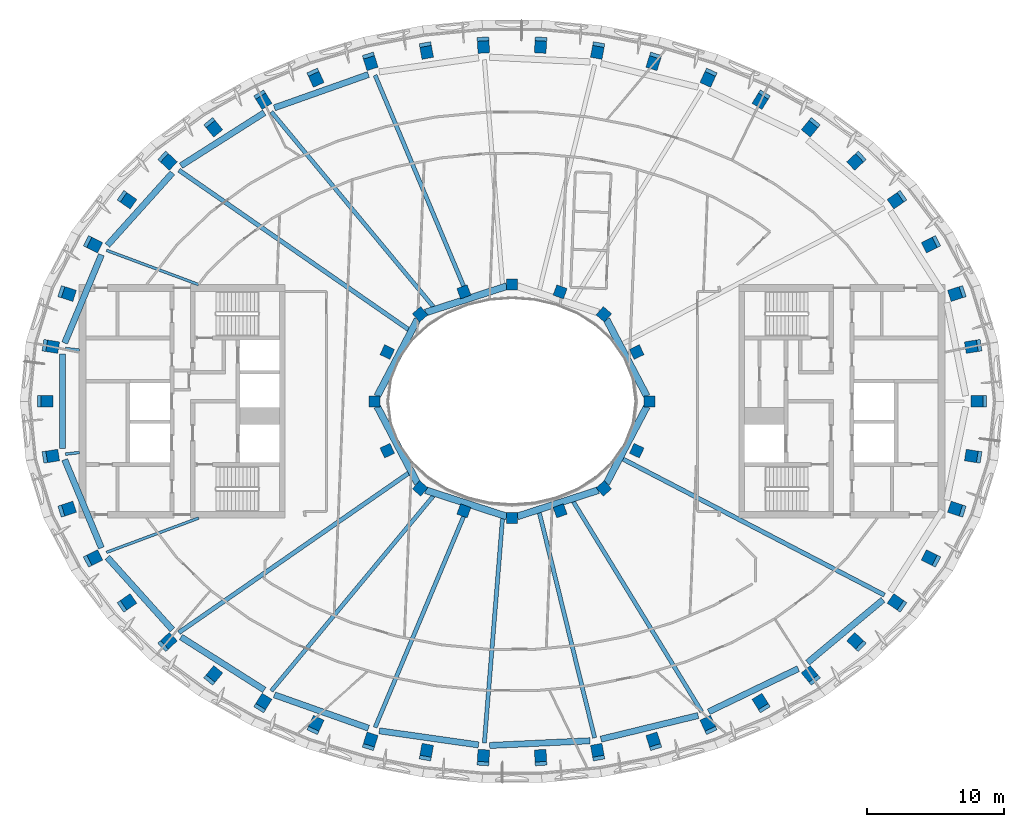
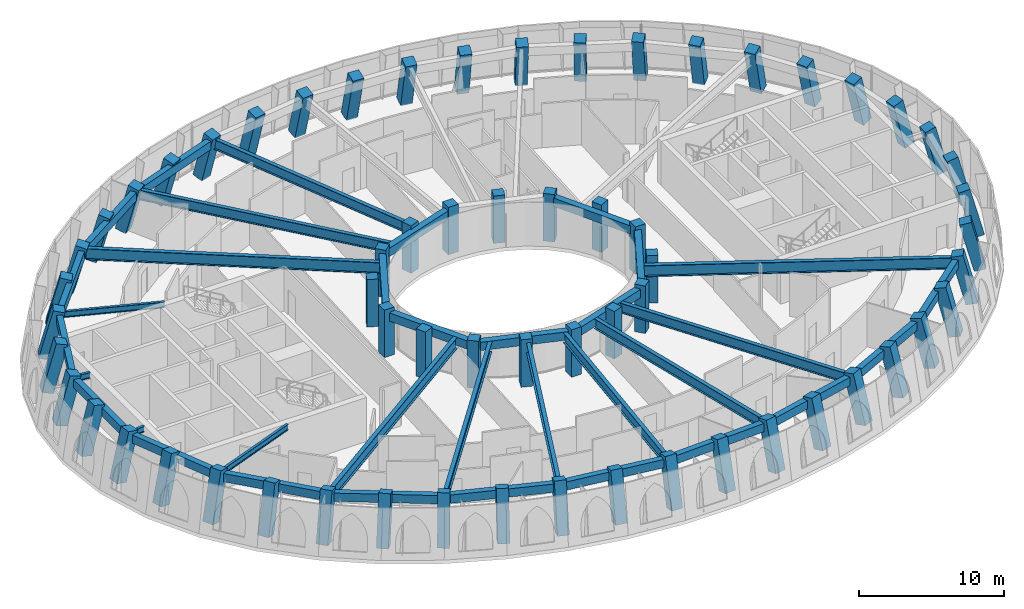
# One storey, part 1 of 14: 62 columns, 35 beams.
"""IFC4 building model written with IfcOpenShell, lengths in metres."""

from ifc_helpers import new_model, si_unit, direction, frame, origin, origin_2d, place, context, subcontext, project, spatial, rectangle, i_section, extrude, material, material_profile, profile_set, type_object, element, save


model = new_model("IFC4")

# Units and contexts
model_context = context("Model", 3, precision=1e-05, world=origin(), true_north=direction((0.0, 1.0)))
body_context = subcontext(model_context, "Body", "Model", "MODEL_VIEW")
ifc_project = project(units=[si_unit("LENGTHUNIT", "METRE"), si_unit("AREAUNIT", "SQUARE_METRE"), si_unit("VOLUMEUNIT", "CUBIC_METRE"), si_unit("PLANEANGLEUNIT", "RADIAN"), si_unit("MASSUNIT", "GRAM", prefix="KILO")], contexts=[model_context])

# Site, building, storey
site_placement = place(None, origin())
site = spatial("IfcSite", under=ifc_project, at=site_placement, CompositionType="ELEMENT")
building_placement = place(site_placement, origin())
building = spatial("IfcBuilding", under=site, at=building_placement, Name="Noorbagh Ring Tower", CompositionType="ELEMENT")
storey_placement = place(building_placement, frame((0.0, 0.0, 335.0)))
storey = spatial("IfcBuildingStorey", under=building, at=storey_placement, Name="L73", CompositionType="ELEMENT", Elevation=335.0)

# Columns
ifc_material_1 = material(Name="Concrete C50/60", Category="concrete")
ifc_material_profile_1 = material_profile(ifc_material_1, rectangle(XDim=0.85009765625, YDim=0.85009765625, at=origin_2d()), Name="RC850x850")
ifc_profile_set_1 = profile_set([ifc_material_profile_1], Name="Concrete C50/60")
column_type_1 = type_object("IfcColumnType", Name="STR-COL-RC850x850-C50-60", PredefinedType="COLUMN", material=ifc_profile_set_1)
for number, where, z_axis, x_axis, name in (
    (1, (34.130859375, 0.0, 0.021240234375), (-0.250356756744, 0.0, 0.968153652244), (0.0, -1.0, 0.0), "L73/col/R1-01"),
    (2, (33.72314453125, 4.022705078125, 0.021240234375), (-0.247193282955, -0.03942667152, 0.968163735344), (0.157506488286, -0.987517952317, 0.0), "L73/col/R1-02"),
    (3, (32.53125, 7.898681640625, 0.021240234375), (-0.238113704065, -0.077180859421, 0.968165780678), (0.308341279213, -0.951275804135, 0.0), "L73/col/R1-03"),
    (4, (30.6376953125, 11.507080078125, 0.021240234375), (-0.223778925547, -0.112068677076, 0.96817539945), (0.447786364795, -0.894140577037, 0.0), "L73/col/R1-04"),
):
    element("IfcColumn", number, at=place(storey_placement, frame(where, z_axis=z_axis, x_axis=x_axis)), inside=storey, type_object=column_type_1, Name=name, PredefinedType="COLUMN", context=body_context, shape_type="SweptSolid", body=[
        extrude(rectangle(XDim=0.85009765625, YDim=0.85009765625, at=origin_2d()), origin(), (0.0, 0.0, 1.0), 4.0869140625),
    ])
for number, where, z_axis, x_axis, name in (
    (5, (28.15185546875, 14.76513671875, 0.021240234375), (-0.20514398083, -0.14325429995, 0.968191175685), (0.57253259654, -0.819881958515, 0.0), "L73/col/R1-05"),
    (6, (25.187255859375, 17.62646484375, 0.021240234375), (-0.183160915009, -0.170436428741, 0.968196004418), (0.68122003212, -0.732078730628, 0.0), "L73/col/R1-06"),
):
    element("IfcColumn", number, at=place(storey_placement, frame(where, z_axis=z_axis, x_axis=x_axis)), inside=storey, type_object=column_type_1, Name=name, PredefinedType="COLUMN", context=body_context, shape_type="SweptSolid", body=[
        extrude(rectangle(XDim=0.85009765625, YDim=0.85009765625, at=origin_2d()), origin(), (0.0, 0.0, 1.0), 4.086669921875),
    ])
for number, where, z_axis, x_axis, name in (
    (7, (21.846435546875, 20.071044921875, 0.021240234375), (-0.158606148179, -0.193553265574, 0.968184498505), (0.773478440466, -0.633822610937, 0.0), "L73/col/R1-07"),
    (8, (18.216796875, 22.0947265625, 0.021240234375), (-0.132081885198, -0.212549682286, 0.968182321757), (0.849363421744, -0.527808466969, 0.0), "L73/col/R1-08"),
    (9, (14.37109375, 23.701171875, 0.021240234375), (-0.10406399959, -0.227602662708, 0.96817752087), (0.909448685807, -0.415816170781, 0.0), "L73/col/R1-09"),
    (10, (10.369140625, 24.8974609375, 0.021240234375), (-0.075030833286, -0.23877248459, 0.968172543847), (0.954007370017, -0.299783151549, 0.0), "L73/col/R1-10"),
    (11, (6.261962890625, 25.690673828125, 0.021240234375), (-0.04528105113, -0.246178379559, 0.968166221186), (0.983501268738, -0.180901228271, 0.0), "L73/col/R1-11"),
    (12, (2.093994140625, 26.0859375, 0.021240234375), (-0.015173203804, -0.249879966589, 0.96815792936), (0.998161503747, -0.060610332764, 0.0), "L73/col/R1-12"),
    (13, (-2.093994140625, 26.0859375, 0.021240234375), (0.015173203804, -0.249879966589, 0.96815792936), (0.998161503747, 0.060610332764, 0.0), "L73/col/R1-13"),
    (14, (-6.261962890625, 25.690673828125, 0.021240234375), (0.04528105113, -0.246178379559, 0.968166221186), (0.983501268738, 0.180901228271, 0.0), "L73/col/R1-14"),
    (15, (-10.369140625, 24.8974609375, 0.021240234375), (0.075030833286, -0.23877248459, 0.968172543847), (0.954007370017, 0.299783151549, 0.0), "L73/col/R1-15"),
    (16, (-14.37109375, 23.701171875, 0.021240234375), (0.10406399959, -0.227602662708, 0.96817752087), (0.909448685807, 0.415816170781, 0.0), "L73/col/R1-16"),
    (17, (-18.216796875, 22.0947265625, 0.021240234375), (0.132081885198, -0.212549682286, 0.968182321757), (0.849363421744, 0.527808466969, 0.0), "L73/col/R1-17"),
    (18, (-21.846435546875, 20.071044921875, 0.021240234375), (0.158606148179, -0.193553265574, 0.968184498505), (0.773478440466, 0.633822610937, 0.0), "L73/col/R1-18"),
):
    element("IfcColumn", number, at=place(storey_placement, frame(where, z_axis=z_axis, x_axis=x_axis)), inside=storey, type_object=column_type_1, Name=name, PredefinedType="COLUMN", context=body_context, shape_type="SweptSolid", body=[
        extrude(rectangle(XDim=0.85009765625, YDim=0.85009765625, at=origin_2d()), origin(), (0.0, 0.0, 1.0), 4.0869140625),
    ])
for number, where, z_axis, x_axis, name in (
    (19, (-25.187255859375, 17.62646484375, 0.021240234375), (0.183160915009, -0.170436428741, 0.968196004418), (0.68122003212, 0.732078730628, 0.0), "L73/col/R1-19"),
    (20, (-28.15185546875, 14.76513671875, 0.021240234375), (0.20514398083, -0.14325429995, 0.968191175685), (0.57253259654, 0.819881958515, 0.0), "L73/col/R1-20"),
):
    element("IfcColumn", number, at=place(storey_placement, frame(where, z_axis=z_axis, x_axis=x_axis)), inside=storey, type_object=column_type_1, Name=name, PredefinedType="COLUMN", context=body_context, shape_type="SweptSolid", body=[
        extrude(rectangle(XDim=0.85009765625, YDim=0.85009765625, at=origin_2d()), origin(), (0.0, 0.0, 1.0), 4.086669921875),
    ])
for number, where, z_axis, x_axis, name in (
    (21, (-30.6376953125, 11.507080078125, 0.021240234375), (0.223778925547, -0.112068677076, 0.96817539945), (0.447786364795, 0.894140577037, 0.0), "L73/col/R1-21"),
    (22, (-32.53125, 7.898681640625, 0.021240234375), (0.238113704065, -0.077180859421, 0.968165780678), (0.308341279213, 0.951275804135, 0.0), "L73/col/R1-22"),
    (23, (-33.72314453125, 4.022705078125, 0.021240234375), (0.247193282955, -0.03942667152, 0.968163735344), (0.157506488286, 0.987517952317, 0.0), "L73/col/R1-23"),
    (24, (-34.130859375, 0.0, 0.021240234375), (0.250356756744, 0.0, 0.968153652244), (0.0, 1.0, 0.0), "L73/col/R1-24"),
    (25, (-33.72314453125, -4.022705078125, 0.021240234375), (0.247193282955, 0.03942667152, 0.968163735344), (-0.157506488286, 0.987517952317, 0.0), "L73/col/R1-25"),
    (26, (-32.53125, -7.898681640625, 0.021240234375), (0.238113704065, 0.077180859421, 0.968165780678), (-0.308341279213, 0.951275804135, 0.0), "L73/col/R1-26"),
    (27, (-30.6376953125, -11.507080078125, 0.021240234375), (0.223778925547, 0.112068677076, 0.96817539945), (-0.447786364795, 0.894140577037, 0.0), "L73/col/R1-27"),
):
    element("IfcColumn", number, at=place(storey_placement, frame(where, z_axis=z_axis, x_axis=x_axis)), inside=storey, type_object=column_type_1, Name=name, PredefinedType="COLUMN", context=body_context, shape_type="SweptSolid", body=[
        extrude(rectangle(XDim=0.85009765625, YDim=0.85009765625, at=origin_2d()), origin(), (0.0, 0.0, 1.0), 4.0869140625),
    ])
for number, where, z_axis, x_axis, name in (
    (28, (-28.15185546875, -14.76513671875, 0.021240234375), (0.20514398083, 0.14325429995, 0.968191175685), (-0.57253259654, 0.819881958515, 0.0), "L73/col/R1-28"),
    (29, (-25.187255859375, -17.62646484375, 0.021240234375), (0.183160915009, 0.170436428741, 0.968196004418), (-0.68122003212, 0.732078730628, 0.0), "L73/col/R1-29"),
):
    element("IfcColumn", number, at=place(storey_placement, frame(where, z_axis=z_axis, x_axis=x_axis)), inside=storey, type_object=column_type_1, Name=name, PredefinedType="COLUMN", context=body_context, shape_type="SweptSolid", body=[
        extrude(rectangle(XDim=0.85009765625, YDim=0.85009765625, at=origin_2d()), origin(), (0.0, 0.0, 1.0), 4.086669921875),
    ])
for number, where, z_axis, x_axis, name in (
    (30, (-21.846435546875, -20.071044921875, 0.021240234375), (0.158606148179, 0.193553265574, 0.968184498505), (-0.773478440466, 0.633822610937, 0.0), "L73/col/R1-30"),
    (31, (-18.216796875, -22.0947265625, 0.021240234375), (0.132081885198, 0.212549682286, 0.968182321757), (-0.849363421744, 0.527808466969, 0.0), "L73/col/R1-31"),
    (32, (-14.37109375, -23.701171875, 0.021240234375), (0.10406399959, 0.227602662708, 0.96817752087), (-0.909448685807, 0.415816170781, 0.0), "L73/col/R1-32"),
    (33, (-10.369140625, -24.8974609375, 0.021240234375), (0.075030833286, 0.23877248459, 0.968172543847), (-0.954007370017, 0.299783151549, 0.0), "L73/col/R1-33"),
    (34, (-6.261962890625, -25.690673828125, 0.021240234375), (0.04528105113, 0.246178379559, 0.968166221186), (-0.983501268738, 0.180901228271, 0.0), "L73/col/R1-34"),
    (35, (-2.093994140625, -26.0859375, 0.021240234375), (0.015173203804, 0.249879966589, 0.96815792936), (-0.998161503747, 0.060610332764, 0.0), "L73/col/R1-35"),
    (36, (2.093994140625, -26.0859375, 0.021240234375), (-0.015173203804, 0.249879966589, 0.96815792936), (-0.998161503747, -0.060610332764, 0.0), "L73/col/R1-36"),
    (37, (6.261962890625, -25.690673828125, 0.021240234375), (-0.04528105113, 0.246178379559, 0.968166221186), (-0.983501268738, -0.180901228271, 0.0), "L73/col/R1-37"),
    (38, (10.369140625, -24.8974609375, 0.021240234375), (-0.075030833286, 0.23877248459, 0.968172543847), (-0.954007370017, -0.299783151549, 0.0), "L73/col/R1-38"),
    (39, (14.37109375, -23.701171875, 0.021240234375), (-0.10406399959, 0.227602662708, 0.96817752087), (-0.909448685807, -0.415816170781, 0.0), "L73/col/R1-39"),
    (40, (18.216796875, -22.0947265625, 0.021240234375), (-0.132081885198, 0.212549682286, 0.968182321757), (-0.849363421744, -0.527808466969, 0.0), "L73/col/R1-40"),
    (41, (21.846435546875, -20.071044921875, 0.021240234375), (-0.158606148179, 0.193553265574, 0.968184498505), (-0.773478440466, -0.633822610937, 0.0), "L73/col/R1-41"),
):
    element("IfcColumn", number, at=place(storey_placement, frame(where, z_axis=z_axis, x_axis=x_axis)), inside=storey, type_object=column_type_1, Name=name, PredefinedType="COLUMN", context=body_context, shape_type="SweptSolid", body=[
        extrude(rectangle(XDim=0.85009765625, YDim=0.85009765625, at=origin_2d()), origin(), (0.0, 0.0, 1.0), 4.0869140625),
    ])
for number, where, z_axis, x_axis, name in (
    (42, (25.187255859375, -17.62646484375, 0.021240234375), (-0.183160915009, 0.170436428741, 0.968196004418), (-0.68122003212, -0.732078730628, 0.0), "L73/col/R1-42"),
    (43, (28.15185546875, -14.76513671875, 0.021240234375), (-0.20514398083, 0.14325429995, 0.968191175685), (-0.57253259654, -0.819881958515, 0.0), "L73/col/R1-43"),
):
    element("IfcColumn", number, at=place(storey_placement, frame(where, z_axis=z_axis, x_axis=x_axis)), inside=storey, type_object=column_type_1, Name=name, PredefinedType="COLUMN", context=body_context, shape_type="SweptSolid", body=[
        extrude(rectangle(XDim=0.85009765625, YDim=0.85009765625, at=origin_2d()), origin(), (0.0, 0.0, 1.0), 4.086669921875),
    ])
for number, where, z_axis, x_axis, name in (
    (44, (30.6376953125, -11.507080078125, 0.021240234375), (-0.223778925547, 0.112068677076, 0.96817539945), (-0.447786364795, -0.894140577037, 0.0), "L73/col/R1-44"),
    (45, (32.53125, -7.898681640625, 0.021240234375), (-0.238113704065, 0.077180859421, 0.968165780678), (-0.308341279213, -0.951275804135, 0.0), "L73/col/R1-45"),
    (46, (33.72314453125, -4.022705078125, 0.021240234375), (-0.247193282955, 0.03942667152, 0.968163735344), (-0.157506488286, -0.987517952317, 0.0), "L73/col/R1-46"),
):
    element("IfcColumn", number, at=place(storey_placement, frame(where, z_axis=z_axis, x_axis=x_axis)), inside=storey, type_object=column_type_1, Name=name, PredefinedType="COLUMN", context=body_context, shape_type="SweptSolid", body=[
        extrude(rectangle(XDim=0.85009765625, YDim=0.85009765625, at=origin_2d()), origin(), (0.0, 0.0, 1.0), 4.0869140625),
    ])
ifc_material_2 = material(Name="Concrete C50/60", Category="concrete")
ifc_material_profile_2 = material_profile(ifc_material_2, rectangle(XDim=0.800048828125, YDim=0.800048828125, at=origin_2d()), Name="RC800x800")
ifc_profile_set_2 = profile_set([ifc_material_profile_2], Name="Concrete C50/60")
column_type_2 = type_object("IfcColumnType", Name="STR-ICOL-RC800x800-C50-60", PredefinedType="COLUMN", material=ifc_profile_set_2)
for number, where, z_axis, x_axis, name in (
    (47, (10.00830078125, 0.0, 0.0), (0.0, 0.0, 1.0), (0.0, 1.0, 0.0), "L73/col/IR2-W01"),
    (48, (9.07568359375, 3.58837890625, 0.0), (0.0, 0.0, 1.0), (-0.428666979171, 0.903462573087, 0.0), "L73/col/IR2-W03"),
    (49, (6.68212890625, 6.333740234375, 0.0), (0.0, 0.0, 1.0), (-0.75102249095, 0.660276622399, 0.0), "L73/col/IR2-W05"),
    (50, (3.5009765625, 7.967041015625, 0.0), (0.0, 0.0, 1.0), (-0.939019578916, 0.343863679984, 0.0), "L73/col/IR2-W07"),
    (51, (0.0, 8.5029296875, 0.0), (0.0, 0.0, 1.0), (-1.0, 0.0, 0.0), "L73/col/IR2-W09"),
    (52, (-3.5009765625, 7.967041015625, 0.0), (0.0, 0.0, 1.0), (-0.939019578916, -0.343863679984, 0.0), "L73/col/IR2-W11"),
    (53, (-6.68212890625, 6.333740234375, 0.0), (0.0, 0.0, 1.0), (-0.75102249095, -0.660276622399, 0.0), "L73/col/IR2-W13"),
    (54, (-9.07568359375, 3.58837890625, 0.0), (0.0, 0.0, 1.0), (-0.428666979171, -0.903462573087, 0.0), "L73/col/IR2-W15"),
    (55, (-10.00830078125, 0.0, 0.0), (0.0, 0.0, 1.0), (0.0, -1.0, 0.0), "L73/col/IR2-W17"),
    (56, (-9.07568359375, -3.58837890625, 0.0), (0.0, 0.0, 1.0), (0.428666979171, -0.903462573087, 0.0), "L73/col/IR2-W19"),
    (57, (-6.68212890625, -6.333740234375, 0.0), (0.0, 0.0, 1.0), (0.75102249095, -0.660276622399, 0.0), "L73/col/IR2-W21"),
    (58, (-3.5009765625, -7.967041015625, 0.0), (0.0, 0.0, 1.0), (0.939019578916, -0.343863679984, 0.0), "L73/col/IR2-W23"),
    (59, (0.0, -8.5029296875, 0.0), (0.0, 0.0, 1.0), (1.0, 0.0, 0.0), "L73/col/IR2-W25"),
    (60, (3.5009765625, -7.967041015625, 0.0), (0.0, 0.0, 1.0), (0.939019578916, 0.343863679984, 0.0), "L73/col/IR2-W27"),
    (61, (6.68212890625, -6.333740234375, 0.0), (0.0, 0.0, 1.0), (0.75102249095, 0.660276622399, 0.0), "L73/col/IR2-W29"),
    (62, (9.07568359375, -3.58837890625, 0.0), (0.0, 0.0, 1.0), (0.428666979171, 0.903462573087, 0.0), "L73/col/IR2-W31"),
):
    element("IfcColumn", number, at=place(storey_placement, frame(where, z_axis=z_axis, x_axis=x_axis)), inside=storey, type_object=column_type_2, Name=name, PredefinedType="COLUMN", context=body_context, shape_type="SweptSolid", body=[
        extrude(rectangle(XDim=0.800048828125, YDim=0.800048828125, at=origin_2d()), origin(), (0.0, 0.0, 1.0), 4.0),
    ])

# Beams
ifc_material_3 = material(Name="Steel S355", Category="steel")
ifc_material_profile_3 = material_profile(ifc_material_3, i_section(OverallWidth=0.199951171875, OverallDepth=0.5, WebThickness=0.01025390625, FlangeThickness=0.01611328125, FilletRadius=0.02099609375, at=origin_2d()), Name="IPE500")
ifc_profile_set_3 = profile_set([ifc_material_profile_3], Name="Steel S355")
beam_type_1 = type_object("IfcBeamType", Name="STR-RAD-IPE500", PredefinedType="BEAM", material=ifc_profile_set_3)
beam_1_placement = place(storey_placement, frame((-29.50830078125, 10.991455078125, 3.449951171875), z_axis=(0.937093710667, -0.349077895933, 0.0), x_axis=(0.349077895933, 0.937093710667, 0.0)))
element("IfcBeam", 63, at=beam_1_placement, inside=storey, type_object=beam_type_1, Name="L73/bm/RD21", PredefinedType="BEAM", context=body_context, shape_type="SweptSolid", body=[
    extrude(i_section(OverallWidth=0.199951171875, OverallDepth=0.5, WebThickness=0.01025390625, FlangeThickness=0.01611328125, FilletRadius=0.02099609375, at=origin_2d()), origin(), (0.0, 0.0, 1.0), 7.157470703125),
])
for number, where, z_axis, x_axis, name in (
    (64, (-32.50146484375, 3.844482421875, 3.449951171875), (0.993070969422, -0.11751616779, 0.0), (0.11751616779, 0.993070969422, 0.0), "L73/bm/RD23"),
    (65, (-32.50146484375, -3.844482421875, 3.449951171875), (0.993070969422, 0.11751616779, 0.0), (-0.11751616779, 0.993070969422, 0.0), "L73/bm/RD25"),
):
    element("IfcBeam", number, at=place(storey_placement, frame(where, z_axis=z_axis, x_axis=x_axis)), inside=storey, type_object=beam_type_1, Name=name, PredefinedType="BEAM", context=body_context, shape_type="SweptSolid", body=[
        extrude(i_section(OverallWidth=0.199951171875, OverallDepth=0.5, WebThickness=0.01025390625, FlangeThickness=0.01611328125, FilletRadius=0.02099609375, at=origin_2d()), origin(), (0.0, 0.0, 1.0), 1.0283203125),
    ])
beam_2_placement = place(storey_placement, frame((-29.50830078125, -10.991455078125, 3.449951171875), z_axis=(0.937093710667, 0.349077895933, 0.0), x_axis=(-0.349077895933, 0.937093710667, 0.0)))
element("IfcBeam", 66, at=beam_2_placement, inside=storey, type_object=beam_type_1, Name="L73/bm/RD27", PredefinedType="BEAM", context=body_context, shape_type="SweptSolid", body=[
    extrude(i_section(OverallWidth=0.199951171875, OverallDepth=0.5, WebThickness=0.01025390625, FlangeThickness=0.01611328125, FilletRadius=0.02099609375, at=origin_2d()), origin(), (0.0, 0.0, 1.0), 7.157470703125),
])
ifc_material_4 = material(Name="Steel S355", Category="steel")
ifc_material_profile_4 = material_profile(ifc_material_4, i_section(OverallWidth=0.300048828125, OverallDepth=0.85009765625, WebThickness=0.013916015625, FlangeThickness=0.028076171875, at=origin_2d()), Name="PG850x300x14x28")
ifc_profile_set_4 = profile_set([ifc_material_profile_4], Name="Steel S355")
beam_type_2 = type_object("IfcBeamType", Name="STR-RAD-PG850x300x14x28", PredefinedType="BEAM", material=ifc_profile_set_4)
beam_3_placement = place(storey_placement, frame((-9.9619140625, 23.72900390625, 3.27490234375), z_axis=(0.387091408341, -0.922041344837, 0.0), x_axis=(0.922041344837, 0.387091408341, 0.0)))
element("IfcBeam", 67, at=beam_3_placement, inside=storey, type_object=beam_type_2, Name="L73/bm/RD15", PredefinedType="BEAM", context=body_context, shape_type="SweptSolid", body=[
    extrude(i_section(OverallWidth=0.300048828125, OverallDepth=0.85009765625, WebThickness=0.013916015625, FlangeThickness=0.028076171875, at=origin_2d()), origin(), (0.0, 0.0, 1.0), 17.388427734375),
])
for number, where, z_axis, x_axis, name in (
    (68, (-17.5126953125, 21.06982421875, 3.27490234375), (0.639211156896, -0.76903127173, 0.0), (0.76903127173, 0.639211156896, 0.0), "L73/bm/RD17"),
    (69, (-17.5126953125, -21.06982421875, 3.27490234375), (0.639211156896, 0.76903127173, 0.0), (-0.76903127173, 0.639211156896, 0.0), "L73/bm/RD31"),
):
    element("IfcBeam", number, at=place(storey_placement, frame(where, z_axis=z_axis, x_axis=x_axis)), inside=storey, type_object=beam_type_2, Name=name, PredefinedType="BEAM", context=body_context, shape_type="SweptSolid", body=[
        extrude(i_section(OverallWidth=0.300048828125, OverallDepth=0.85009765625, WebThickness=0.013916015625, FlangeThickness=0.028076171875, at=origin_2d()), origin(), (0.0, 0.0, 1.0), 18.441162109375),
    ])
beam_4_placement = place(storey_placement, frame((-9.9619140625, -23.72900390625, 3.27490234375), z_axis=(0.387091408341, 0.922041344837, 0.0), x_axis=(-0.922041344837, 0.387091408341, 0.0)))
element("IfcBeam", 70, at=beam_4_placement, inside=storey, type_object=beam_type_2, Name="L73/bm/RD33", PredefinedType="BEAM", context=body_context, shape_type="SweptSolid", body=[
    extrude(i_section(OverallWidth=0.300048828125, OverallDepth=0.85009765625, WebThickness=0.013916015625, FlangeThickness=0.028076171875, at=origin_2d()), origin(), (0.0, 0.0, 1.0), 17.388427734375),
])
beam_5_placement = place(storey_placement, frame((-2.01123046875, -24.85498046875, 3.27490234375), z_axis=(0.080660654918, 0.996741620857, 0.0), x_axis=(-0.996741620857, 0.080660654918, 0.0)))
element("IfcBeam", 71, at=beam_5_placement, inside=storey, type_object=beam_type_2, Name="L73/bm/RD35", PredefinedType="BEAM", context=body_context, shape_type="SweptSolid", body=[
    extrude(i_section(OverallWidth=0.300048828125, OverallDepth=0.85009765625, WebThickness=0.013916015625, FlangeThickness=0.028076171875, at=origin_2d()), origin(), (0.0, 0.0, 1.0), 16.386962890625),
])
beam_6_placement = place(storey_placement, frame((6.014892578125, -24.480712890625, 3.27490234375), z_axis=(-0.238597051957, 0.971118657424, 0.0), x_axis=(-0.971118657424, -0.238597051957, 0.0)))
element("IfcBeam", 72, at=beam_6_placement, inside=storey, type_object=beam_type_2, Name="L73/bm/RD37", PredefinedType="BEAM", context=body_context, shape_type="SweptSolid", body=[
    extrude(i_section(OverallWidth=0.300048828125, OverallDepth=0.85009765625, WebThickness=0.013916015625, FlangeThickness=0.028076171875, at=origin_2d()), origin(), (0.0, 0.0, 1.0), 16.869140625),
])
beam_7_placement = place(storey_placement, frame((13.810546875, -22.594482421875, 3.27490234375), z_axis=(-0.521525470141, 0.853235714205, 0.0), x_axis=(-0.853235714205, -0.521525470141, 0.0)))
element("IfcBeam", 73, at=beam_7_placement, inside=storey, type_object=beam_type_2, Name="L73/bm/RD39", PredefinedType="BEAM", context=body_context, shape_type="SweptSolid", body=[
    extrude(i_section(OverallWidth=0.300048828125, OverallDepth=0.85009765625, WebThickness=0.013916015625, FlangeThickness=0.028076171875, at=origin_2d()), origin(), (0.0, 0.0, 1.0), 17.928466796875),
])
ifc_material_5 = material(Name="Steel S355", Category="steel")
ifc_material_profile_5 = material_profile(ifc_material_5, i_section(OverallWidth=0.320068359375, OverallDepth=0.949951171875, WebThickness=0.01611328125, FlangeThickness=0.030029296875, at=origin_2d()), Name="PG950x320x16x30")
ifc_profile_set_5 = profile_set([ifc_material_profile_5], Name="Steel S355")
beam_type_3 = type_object("IfcBeamType", Name="STR-RAD-PG950x320x16x30", PredefinedType="BEAM", material=ifc_profile_set_5)
for number, where, z_axis, x_axis, name in (
    (74, (-24.2353515625, 16.822509765625, 3.22509765625), (0.821489438414, -0.57022373028, 0.0), (0.57022373028, 0.821489438414, 0.0), "L73/bm/RD19"),
    (75, (-24.2353515625, -16.822509765625, 3.22509765625), (0.821489438414, 0.57022373028, 0.0), (-0.57022373028, 0.821489438414, 0.0), "L73/bm/RD29"),
):
    element("IfcBeam", number, at=place(storey_placement, frame(where, z_axis=z_axis, x_axis=x_axis)), inside=storey, type_object=beam_type_3, Name=name, PredefinedType="BEAM", context=body_context, shape_type="SweptSolid", body=[
        extrude(i_section(OverallWidth=0.320068359375, OverallDepth=0.949951171875, WebThickness=0.01611328125, FlangeThickness=0.030029296875, at=origin_2d()), origin(), (0.0, 0.0, 1.0), 20.34130859375),
    ])
beam_8_placement = place(storey_placement, frame((27.1015625, -14.09765625, 3.22509765625), z_axis=(-0.8871538295, 0.461473815945, 0.0), x_axis=(-0.461473815945, -0.8871538295, 0.0)))
element("IfcBeam", 76, at=beam_8_placement, inside=storey, type_object=beam_type_3, Name="L73/bm/RD43", PredefinedType="BEAM", context=body_context, shape_type="SweptSolid", body=[
    extrude(i_section(OverallWidth=0.320068359375, OverallDepth=0.949951171875, WebThickness=0.01611328125, FlangeThickness=0.030029296875, at=origin_2d()), origin(), (0.0, 0.0, 1.0), 21.4580078125),
])
ifc_material_6 = material(Name="Concrete C40/50", Category="concrete")
ifc_material_profile_6 = material_profile(ifc_material_6, rectangle(XDim=0.5, YDim=0.699951171875, at=origin_2d()), Name="RC500x700")
ifc_profile_set_6 = profile_set([ifc_material_profile_6], Name="Concrete C40/50")
beam_type_4 = type_object("IfcBeamType", Name="STR-RB-RC500x700-C40-50", PredefinedType="BEAM", material=ifc_profile_set_6)
beam_9_placement = place(storey_placement, frame((9.8076171875, 0.38232421875, 3.35009765625), z_axis=(-0.464943021964, 0.885340604698, 0.0), x_axis=(-0.885340604698, -0.464943021964, 0.0)))
element("IfcBeam", 77, at=beam_9_placement, inside=storey, type_object=beam_type_4, Name="L73/bm/RG01", PredefinedType="BEAM", context=body_context, shape_type="SweptSolid", body=[
    extrude(rectangle(XDim=0.5, YDim=0.699951171875, at=origin_2d()), origin(), (0.0, 0.0, 1.0), 6.313720703125),
])
beam_10_placement = place(storey_placement, frame((-0.380859375, 8.379150390625, 3.35009765625), z_axis=(-0.951150444931, -0.308727762126, 0.0), x_axis=(0.308727762126, -0.951150444931, 0.0)))
element("IfcBeam", 78, at=beam_10_placement, inside=storey, type_object=beam_type_4, Name="L73/bm/RG05", PredefinedType="BEAM", context=body_context, shape_type="SweptSolid", body=[
    extrude(rectangle(XDim=0.5, YDim=0.699951171875, at=origin_2d()), origin(), (0.0, 0.0, 1.0), 6.209228515625),
])
for number, where, z_axis, x_axis, name in (
    (79, (-6.8720703125, 5.97216796875, 3.35009765625), (-0.464943021964, -0.885340604698, 0.0), (0.885340604698, -0.464943021964, 0.0), "L73/bm/RG07"),
    (80, (-9.8076171875, -0.38232421875, 3.35009765625), (0.464943021964, -0.885340604698, 0.0), (0.885340604698, 0.464943021964, 0.0), "L73/bm/RG09"),
):
    element("IfcBeam", number, at=place(storey_placement, frame(where, z_axis=z_axis, x_axis=x_axis)), inside=storey, type_object=beam_type_4, Name=name, PredefinedType="BEAM", context=body_context, shape_type="SweptSolid", body=[
        extrude(rectangle(XDim=0.5, YDim=0.699951171875, at=origin_2d()), origin(), (0.0, 0.0, 1.0), 6.313720703125),
    ])
for number, where, z_axis, x_axis, name in (
    (81, (-6.286865234375, -6.462158203125, 3.35009765625), (0.951150444931, -0.308727762126, 0.0), (0.308727762126, 0.951150444931, 0.0), "L73/bm/RG11"),
    (82, (0.380859375, -8.379150390625, 3.35009765625), (0.951150444931, 0.308727762126, 0.0), (-0.308727762126, 0.951150444931, 0.0), "L73/bm/RG13"),
):
    element("IfcBeam", number, at=place(storey_placement, frame(where, z_axis=z_axis, x_axis=x_axis)), inside=storey, type_object=beam_type_4, Name=name, PredefinedType="BEAM", context=body_context, shape_type="SweptSolid", body=[
        extrude(rectangle(XDim=0.5, YDim=0.699951171875, at=origin_2d()), origin(), (0.0, 0.0, 1.0), 6.209228515625),
    ])
beam_11_placement = place(storey_placement, frame((6.8720703125, -5.97216796875, 3.35009765625), z_axis=(0.464943021964, 0.885340604698, 0.0), x_axis=(-0.885340604698, 0.464943021964, 0.0)))
element("IfcBeam", 83, at=beam_11_placement, inside=storey, type_object=beam_type_4, Name="L73/bm/RG15", PredefinedType="BEAM", context=body_context, shape_type="SweptSolid", body=[
    extrude(rectangle(XDim=0.5, YDim=0.699951171875, at=origin_2d()), origin(), (0.0, 0.0, 1.0), 6.313720703125),
])
ifc_material_7 = material(Name="Concrete C40/50", Category="concrete")
ifc_material_profile_7 = material_profile(ifc_material_7, rectangle(XDim=0.449951171875, YDim=0.699951171875, at=origin_2d()), Name="RC450x700")
ifc_profile_set_7 = profile_set([ifc_material_profile_7], Name="Concrete C40/50")
beam_type_5 = type_object("IfcBeamType", Name="STR-SB-RC450x700-C40-50", PredefinedType="BEAM", material=ifc_profile_set_7)
beam_12_placement = place(storey_placement, frame((-10.444580078125, 23.7802734375, 3.35009765625), z_axis=(-0.942685181352, -0.333683456076, 0.0), x_axis=(0.333683456076, -0.942685181352, 0.0)))
element("IfcBeam", 84, at=beam_12_placement, inside=storey, type_object=beam_type_5, Name="L73/bm/SP15", PredefinedType="BEAM", context=body_context, shape_type="SweptSolid", body=[
    extrude(rectangle(XDim=0.449951171875, YDim=0.699951171875, at=origin_2d()), origin(), (0.0, 0.0, 1.0), 7.26171875),
])
beam_13_placement = place(storey_placement, frame((-18.018310546875, 21.00244140625, 3.35009765625), z_axis=(-0.844062363381, -0.536245024894, 0.0), x_axis=(0.536245024894, -0.844062363381, 0.0)))
element("IfcBeam", 85, at=beam_13_placement, inside=storey, type_object=beam_type_5, Name="L73/bm/SP17", PredefinedType="BEAM", context=body_context, shape_type="SweptSolid", body=[
    extrude(rectangle(XDim=0.449951171875, YDim=0.699951171875, at=origin_2d()), origin(), (0.0, 0.0, 1.0), 7.19287109375),
])
beam_14_placement = place(storey_placement, frame((-24.708251953125, 16.62158203125, 3.35009765625), z_axis=(-0.668402914654, -0.743799397474, 0.0), x_axis=(0.743799397474, -0.668402914654, 0.0)))
element("IfcBeam", 86, at=beam_14_placement, inside=storey, type_object=beam_type_5, Name="L73/bm/SP19", PredefinedType="BEAM", context=body_context, shape_type="SweptSolid", body=[
    extrude(rectangle(XDim=0.449951171875, YDim=0.699951171875, at=origin_2d()), origin(), (0.0, 0.0, 1.0), 7.0849609375),
])
beam_15_placement = place(storey_placement, frame((-29.876220703125, 10.666259765625, 3.35009765625), z_axis=(-0.384084625284, -0.923297893759, 0.0), x_axis=(0.923297893759, -0.384084625284, 0.0)))
element("IfcBeam", 87, at=beam_15_placement, inside=storey, type_object=beam_type_5, Name="L73/bm/SP21", PredefinedType="BEAM", context=body_context, shape_type="SweptSolid", body=[
    extrude(rectangle(XDim=0.449951171875, YDim=0.699951171875, at=origin_2d()), origin(), (0.0, 0.0, 1.0), 6.957763671875),
])
beam_16_placement = place(storey_placement, frame((-32.707275390625, 3.447021484375, 3.35009765625), z_axis=(0.0, -1.0, 0.0), x_axis=(1.0, 0.0, 0.0)))
element("IfcBeam", 88, at=beam_16_placement, inside=storey, type_object=beam_type_5, Name="L73/bm/SP23", PredefinedType="BEAM", context=body_context, shape_type="SweptSolid", body=[
    extrude(rectangle(XDim=0.449951171875, YDim=0.699951171875, at=origin_2d()), origin(), (0.0, 0.0, 1.0), 6.89404296875),
])
beam_17_placement = place(storey_placement, frame((-32.548583984375, -4.2421875, 3.35009765625), z_axis=(0.384084625284, -0.923297893759, 0.0), x_axis=(0.923297893759, 0.384084625284, 0.0)))
element("IfcBeam", 89, at=beam_17_placement, inside=storey, type_object=beam_type_5, Name="L73/bm/SP25", PredefinedType="BEAM", context=body_context, shape_type="SweptSolid", body=[
    extrude(rectangle(XDim=0.449951171875, YDim=0.699951171875, at=origin_2d()), origin(), (0.0, 0.0, 1.0), 6.957763671875),
])
beam_18_placement = place(storey_placement, frame((-29.44384765625, -11.351806640625, 3.35009765625), z_axis=(0.668402914654, -0.743799397474, 0.0), x_axis=(0.743799397474, 0.668402914654, 0.0)))
element("IfcBeam", 90, at=beam_18_placement, inside=storey, type_object=beam_type_5, Name="L73/bm/SP27", PredefinedType="BEAM", context=body_context, shape_type="SweptSolid", body=[
    extrude(rectangle(XDim=0.449951171875, YDim=0.699951171875, at=origin_2d()), origin(), (0.0, 0.0, 1.0), 7.0849609375),
])
beam_19_placement = place(storey_placement, frame((-24.089599609375, -17.145263671875, 3.35009765625), z_axis=(0.844062363381, -0.536245024894, 0.0), x_axis=(0.536245024894, 0.844062363381, 0.0)))
element("IfcBeam", 91, at=beam_19_placement, inside=storey, type_object=beam_type_5, Name="L73/bm/SP29", PredefinedType="BEAM", context=body_context, shape_type="SweptSolid", body=[
    extrude(rectangle(XDim=0.449951171875, YDim=0.699951171875, at=origin_2d()), origin(), (0.0, 0.0, 1.0), 7.19287109375),
])
beam_20_placement = place(storey_placement, frame((-17.2900390625, -21.357177734375, 3.35009765625), z_axis=(0.942685181352, -0.333683456076, 0.0), x_axis=(0.333683456076, 0.942685181352, 0.0)))
element("IfcBeam", 92, at=beam_20_placement, inside=storey, type_object=beam_type_5, Name="L73/bm/SP31", PredefinedType="BEAM", context=body_context, shape_type="SweptSolid", body=[
    extrude(rectangle(XDim=0.449951171875, YDim=0.699951171875, at=origin_2d()), origin(), (0.0, 0.0, 1.0), 7.26171875),
])
beam_21_placement = place(storey_placement, frame((-9.65771484375, -23.9736328125, 3.35009765625), z_axis=(0.99002231027, -0.140910699268, 0.0), x_axis=(0.140910699268, 0.99002231027, 0.0)))
element("IfcBeam", 93, at=beam_21_placement, inside=storey, type_object=beam_type_5, Name="L73/bm/SP33", PredefinedType="BEAM", context=body_context, shape_type="SweptSolid", body=[
    extrude(rectangle(XDim=0.449951171875, YDim=0.699951171875, at=origin_2d()), origin(), (0.0, 0.0, 1.0), 7.2958984375),
])
beam_22_placement = place(storey_placement, frame((-1.625244140625, -25.0400390625, 3.35009765625), z_axis=(0.998902514597, 0.046837659324, 0.0), x_axis=(-0.046837659324, 0.998902514597, 0.0)))
element("IfcBeam", 94, at=beam_22_placement, inside=storey, type_object=beam_type_5, Name="L73/bm/SP35", PredefinedType="BEAM", context=body_context, shape_type="SweptSolid", body=[
    extrude(rectangle(XDim=0.449951171875, YDim=0.699951171875, at=origin_2d()), origin(), (0.0, 0.0, 1.0), 7.302734375),
])
beam_23_placement = place(storey_placement, frame((6.47119140625, -24.582763671875, 3.35009765625), z_axis=(0.971686119165, 0.236275444812, 0.0), x_axis=(-0.236275444812, 0.971686119165, 0.0)))
element("IfcBeam", 95, at=beam_23_placement, inside=storey, type_object=beam_type_5, Name="L73/bm/SP37", PredefinedType="BEAM", context=body_context, shape_type="SweptSolid", body=[
    extrude(rectangle(XDim=0.449951171875, YDim=0.699951171875, at=origin_2d()), origin(), (0.0, 0.0, 1.0), 7.28271484375),
])
beam_24_placement = place(storey_placement, frame((14.310546875, -22.589111328125, 3.35009765625), z_axis=(0.901063725305, 0.433686710587, 0.0), x_axis=(-0.433686710587, 0.901063725305, 0.0)))
element("IfcBeam", 96, at=beam_24_placement, inside=storey, type_object=beam_type_5, Name="L73/bm/SP39", PredefinedType="BEAM", context=body_context, shape_type="SweptSolid", body=[
    extrude(rectangle(XDim=0.449951171875, YDim=0.699951171875, at=origin_2d()), origin(), (0.0, 0.0, 1.0), 7.232177734375),
])
beam_25_placement = place(storey_placement, frame((21.50830078125, -19.01416015625, 3.35009765625), z_axis=(0.76796630021, 0.64049025109, 0.0), x_axis=(-0.64049025109, 0.76796630021, 0.0)))
element("IfcBeam", 97, at=beam_25_placement, inside=storey, type_object=beam_type_5, Name="L73/bm/SP41", PredefinedType="BEAM", context=body_context, shape_type="SweptSolid", body=[
    extrude(rectangle(XDim=0.449951171875, YDim=0.699951171875, at=origin_2d()), origin(), (0.0, 0.0, 1.0), 7.1435546875),
])

save(model, "model.ifc")
